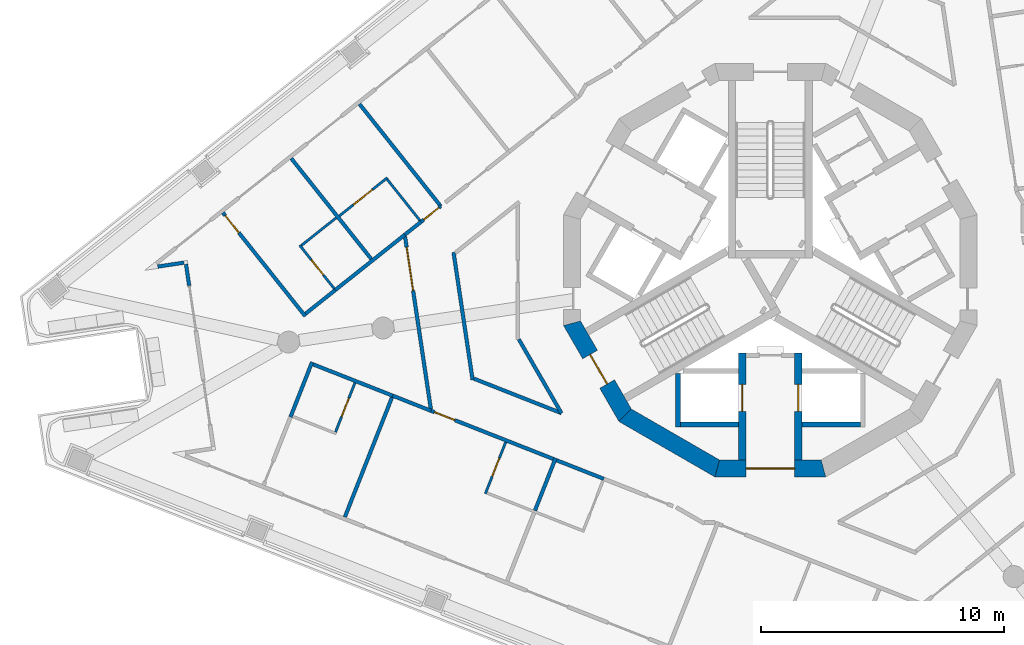
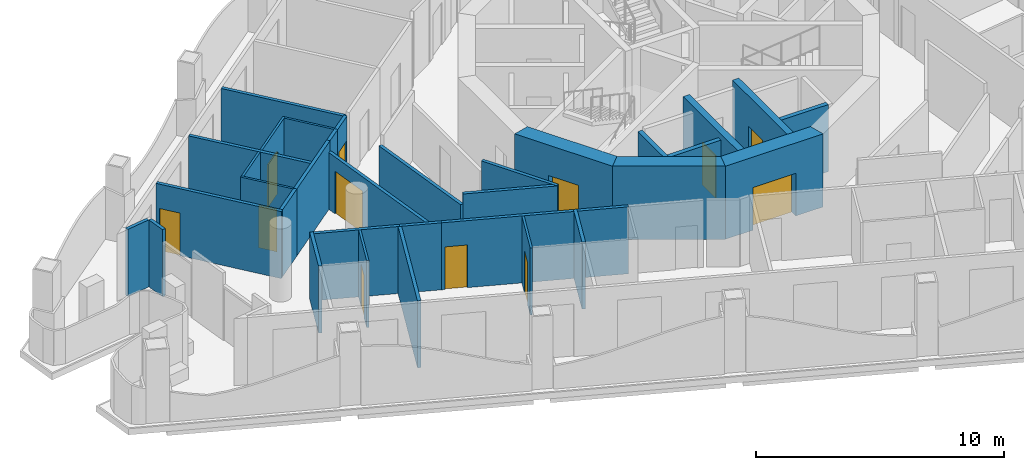
# One storey, part 3 of 16: 34 walls, 12 doors, 12 openings.
"""IFC4 building model written with IfcOpenShell, lengths in metres."""

from ifc_helpers import new_model, si_unit, direction, frame, frame_2d, origin, place, context, subcontext, project, spatial, polyline, rectangle, outline, extrude, material, layer, layer_set, type_object, element, fill, save


model = new_model("IFC4")

# Units and contexts
model_context = context("Model", 3, precision=1e-05, world=origin(), true_north=direction((0.0, 1.0)))
body_context = subcontext(model_context, "Body", "Model", "MODEL_VIEW")
ifc_project = project(units=[si_unit("LENGTHUNIT", "METRE"), si_unit("AREAUNIT", "SQUARE_METRE"), si_unit("VOLUMEUNIT", "CUBIC_METRE"), si_unit("PLANEANGLEUNIT", "RADIAN"), si_unit("MASSUNIT", "GRAM", prefix="KILO")], contexts=[model_context])

# Site, building, storey
site_placement = place(None, origin())
site = spatial("IfcSite", under=ifc_project, at=site_placement, CompositionType="ELEMENT")
building_placement = place(site_placement, origin())
building = spatial("IfcBuilding", under=site, at=building_placement, Name="Trine Commons Tower", CompositionType="ELEMENT")
storey_placement = place(building_placement, frame((0.0, 0.0, 205.199951171875)))
storey = spatial("IfcBuildingStorey", under=building, at=storey_placement, Name="L53", CompositionType="ELEMENT", Elevation=205.199951171875)

# Walls
ifc_material_1 = material(Name="Aluminium-framed insulated wall panel", Category="aluminium")
ifc_layer_1 = layer(ifc_material_1, 0.14990234375)
ifc_layer_set_1 = layer_set([ifc_layer_1], Name="Aluminium-framed insulated wall panel")
wall_type_1 = type_object("IfcWallType", Name="Glazed frame wall 150, EI 60", PredefinedType="SOLIDWALL", material=ifc_layer_set_1)
wall_1_placement = place(storey_placement, frame((56.115966796875, 61.86279296875, 0.0), z_axis=(0.0, 0.0, 1.0), x_axis=(-0.147946480694, 0.988995368468, 0.0)))
element("IfcWall", 1, at=wall_1_placement, inside=storey, type_object=wall_type_1, Name="Glazed frame wall P3.5", PredefinedType="SOLIDWALL", context=body_context, shape_type="SweptSolid", body=[
    extrude(outline(polyline([(0.889892578125, 0.074951171875), (0.0, 0.074951171875), (0.0, -0.074951171875), (0.889892578125, -0.074951171875), (0.889892578125, 0.074951171875)])), origin(), (0.0, 0.0, 1.0), 3.300048828125),
])
wall_2_placement = place(storey_placement, frame((56.0078125, 62.822265625, 0.0), z_axis=(0.0, 0.0, 1.0), x_axis=(-0.98902141065, -0.147772288596, 0.0)))
element("IfcWall", 2, at=wall_2_placement, inside=storey, type_object=wall_type_1, Name="Glazed frame wall R12", PredefinedType="SOLIDWALL", context=body_context, shape_type="SweptSolid", body=[
    extrude(outline(polyline([(0.110107421875, 0.074951171875), (0.110107421875, -0.074951171875), (1.19580078125, -0.074951171875), (1.19580078125, 0.074951171875), (0.110107421875, 0.074951171875)])), origin(), (0.0, 0.0, 1.0), 3.300048828125),
])

# Wall, opening, door
ifc_material_2 = material(Name="Concrete C60/75", Category="concrete")
ifc_layer_2 = layer(ifc_material_2, 0.300048828125)
ifc_layer_set_2 = layer_set([ifc_layer_2], Name="Concrete C60/75")
wall_type_2 = type_object("IfcWallType", Name="RC shear wall 300 mm, C60/75", PredefinedType="SHEAR", material=ifc_layer_set_2)
wall_3_placement = place(storey_placement, frame((78.85009765625, 59.10009765625, 0.0), z_axis=(0.0, 0.0, 1.0), x_axis=(0.0, -1.0, 0.0)))
wall_3 = element("IfcWall", 3, at=wall_3_placement, inside=storey, type_object=wall_type_2, Name="Core cross wall SWC-03 L53", PredefinedType="SHEAR", context=body_context, shape_type="SweptSolid", body=[
    extrude(rectangle(XDim=4.400146484375, YDim=0.300048828125, at=frame_2d((2.2001953125, 0.0))), origin(), (0.0, 0.0, 1.0), 3.60009765625),
])
opening_1_placement = place(wall_3_placement, frame((1.300048828125, 0.0, 0.0)))
opening_1 = element("IfcOpeningElement", 4, at=opening_1_placement, cuts=wall_3, Name="Opening LD10", PredefinedType="OPENING", context=body_context, shape_type="SweptSolid", body=[
    extrude(rectangle(XDim=1.10009765625, YDim=2.10009765625, at=frame_2d((0.550048828125, 1.050048828125))), frame((0.0, 0.159912109375, 0.0), z_axis=(0.0, -1.0, 0.0), x_axis=(1.0, 0.0, 0.0)), (0.0, 0.0, 1.0), 0.320068359375),
])
ifc_material_3 = material(Name="Stainless steel sliding door leaves", Category="steel")
door_type_1 = type_object("IfcDoorType", Name="Lift landing door, centre-opening sliding 1100 x 2100, FD90", OperationType="DOUBLE_DOOR_SLIDING", PredefinedType="DOOR", material=ifc_material_3)
door_1_placement = place(opening_1_placement, origin())
door_1 = element("IfcDoor", 5, at=door_1_placement, inside=storey, type_object=door_type_1, Name="Lift landing door FF2 L53", OperationType="DOUBLE_DOOR_SLIDING", OverallHeight=2.10009765625, OverallWidth=1.10009765625, PredefinedType="DOOR", context=body_context, shape_type="SweptSolid", body=[
    extrude(rectangle(XDim=1.10009765625, YDim=2.10009765625, at=frame_2d((0.550048828125, 1.050048828125))), frame((0.0, 0.02490234375, 0.0), z_axis=(0.0, -1.0, 0.0), x_axis=(1.0, 0.0, 0.0)), (0.0, 0.0, 1.0), 0.050048828125),
])
fill(opening_1, door_1)

wall_4_placement = place(storey_placement, frame((81.14990234375, 59.10009765625, 0.0), z_axis=(0.0, 0.0, 1.0), x_axis=(0.0, -1.0, 0.0)))
wall_4 = element("IfcWall", 6, at=wall_4_placement, inside=storey, type_object=wall_type_2, Name="Core cross wall SWC-04 L53", PredefinedType="SHEAR", context=body_context, shape_type="SweptSolid", body=[
    extrude(rectangle(XDim=4.400146484375, YDim=0.300048828125, at=frame_2d((2.2001953125, 0.0))), origin(), (0.0, 0.0, 1.0), 3.60009765625),
])
opening_2_placement = place(wall_4_placement, frame((1.300048828125, 0.0, 0.0)))
opening_2 = element("IfcOpeningElement", 7, at=opening_2_placement, cuts=wall_4, Name="Opening LD9", PredefinedType="OPENING", context=body_context, shape_type="SweptSolid", body=[
    extrude(rectangle(XDim=1.10009765625, YDim=2.10009765625, at=frame_2d((0.550048828125, 1.050048828125))), frame((0.0, 0.159912109375, 0.0), z_axis=(0.0, -1.0, 0.0), x_axis=(1.0, 0.0, 0.0)), (0.0, 0.0, 1.0), 0.320068359375),
])
door_2_placement = place(opening_2_placement, origin())
door_2 = element("IfcDoor", 8, at=door_2_placement, inside=storey, type_object=door_type_1, Name="Lift landing door FF1 L53", OperationType="DOUBLE_DOOR_SLIDING", OverallHeight=2.10009765625, OverallWidth=1.10009765625, PredefinedType="DOOR", context=body_context, shape_type="SweptSolid", body=[
    extrude(rectangle(XDim=1.10009765625, YDim=2.10009765625, at=frame_2d((0.550048828125, 1.050048828125))), frame((0.0, 0.02490234375, 0.0), z_axis=(0.0, -1.0, 0.0), x_axis=(1.0, 0.0, 0.0)), (0.0, 0.0, 1.0), 0.050048828125),
])
fill(opening_2, door_2)

ifc_layer_3 = layer(ifc_material_2, 0.699951171875)
ifc_layer_set_3 = layer_set([ifc_layer_3], Name="Concrete C60/75")
wall_type_3 = type_object("IfcWallType", Name="RC shear wall 700 mm, C60/75", PredefinedType="SHEAR", material=ifc_layer_set_3)
wall_5_placement = place(storey_placement, frame((71.802978515625, 60.3974609375, 0.0), z_axis=(0.0, 0.0, 1.0), x_axis=(0.499983800959, -0.866034756103, 0.0)))
wall_5 = element("IfcWall", 9, at=wall_5_placement, inside=storey, type_object=wall_type_3, Name="Core wall CWF-08 L53", PredefinedType="SHEAR", context=body_context, shape_type="SweptSolid", body=[
    extrude(outline(polyline([(0.0, -0.35009765625), (4.55517578125, -0.35009765625), (4.36767578125, 0.35009765625), (0.1875, 0.35009765625), (0.0, -0.35009765625)])), origin(), (0.0, 0.0, 1.0), 3.60009765625),
])
opening_3_placement = place(wall_5_placement, frame((1.577392578125, 0.0, 0.0)))
opening_3 = element("IfcOpeningElement", 10, at=opening_3_placement, cuts=wall_5, Name="Opening K15.02", PredefinedType="OPENING", context=body_context, shape_type="SweptSolid", body=[
    extrude(rectangle(XDim=1.39990234375, YDim=2.10009765625, at=frame_2d((0.699951171875, 1.050048828125))), frame((0.0, 0.35986328125, 0.0), z_axis=(0.0, -1.0, 0.0), x_axis=(1.0, 0.0, 0.0)), (0.0, 0.0, 1.0), 0.719970703125),
])
ifc_material_4 = material(Name="Steel door leaves, fire-rated", Category="steel")
door_type_2 = type_object("IfcDoorType", Name="Stair door, double leaf 1400 x 2100, FD90", OperationType="DOUBLE_DOOR_SINGLE_SWING", PredefinedType="DOOR", material=ifc_material_4)
door_3_placement = place(opening_3_placement, origin())
door_3 = element("IfcDoor", 11, at=door_3_placement, inside=storey, type_object=door_type_2, Name="Stair door to Exit stair ST2C L53", OperationType="DOUBLE_DOOR_SINGLE_SWING", OverallHeight=2.10009765625, OverallWidth=1.39990234375, PredefinedType="DOOR", context=body_context, shape_type="SweptSolid", body=[
    extrude(rectangle(XDim=1.39990234375, YDim=2.10009765625, at=frame_2d((0.699951171875, 1.050048828125))), frame((0.0, 0.02490234375, 0.0), z_axis=(0.0, -1.0, 0.0), x_axis=(1.0, 0.0, 0.0)), (0.0, 0.0, 1.0), 0.050048828125),
])
fill(opening_3, door_3)

# Wall
wall_6_placement = place(storey_placement, frame((73.952392578125, 56.58056640625, 0.0), z_axis=(0.0, 0.0, 1.0), x_axis=(0.866034756103, -0.499983800959, 0.0)))
element("IfcWall", 12, at=wall_6_placement, inside=storey, type_object=wall_type_3, Name="Core wall CWF-09 L53", PredefinedType="SHEAR", context=body_context, shape_type="SweptSolid", body=[
    extrude(outline(polyline([(0.0, -0.35009765625), (4.55517578125, -0.35009765625), (4.36767578125, 0.35009765625), (0.1875, 0.35009765625), (0.0, -0.35009765625)])), origin(), (0.0, 0.0, 1.0), 3.60009765625),
])

# Wall, opening, door
wall_7_placement = place(storey_placement, frame((77.722412109375, 54.349853515625, 0.0), z_axis=(0.0, 0.0, 1.0), x_axis=(1.0, 0.0, 0.0)))
wall_7 = element("IfcWall", 13, at=wall_7_placement, inside=storey, type_object=wall_type_3, Name="Core wall CWF-10 L53", PredefinedType="SHEAR", context=body_context, shape_type="SweptSolid", body=[
    extrude(outline(polyline([(0.0, -0.35009765625), (4.55517578125, -0.35009765625), (4.36767578125, 0.35009765625), (0.1875, 0.35009765625), (0.0, -0.35009765625)])), origin(), (0.0, 0.0, 1.0), 3.60009765625),
])
opening_4_placement = place(wall_7_placement, frame((1.277587890625, 0.0, 0.0)))
opening_4 = element("IfcOpeningElement", 14, at=opening_4_placement, cuts=wall_7, Name="Opening K15.08", PredefinedType="OPENING", context=body_context, shape_type="SweptSolid", body=[
    extrude(rectangle(XDim=2.0, YDim=2.10009765625, at=frame_2d((1.0, 1.050048828125))), frame((0.0, 0.35986328125, 0.0), z_axis=(0.0, -1.0, 0.0), x_axis=(1.0, 0.0, 0.0)), (0.0, 0.0, 1.0), 0.719970703125),
])
door_type_3 = type_object("IfcDoorType", Name="Lobby door, double leaf 2000 x 2100, FD60", OperationType="DOUBLE_DOOR_SINGLE_SWING", PredefinedType="DOOR", material=ifc_material_4)
door_4_placement = place(opening_4_placement, origin())
door_4 = element("IfcDoor", 15, at=door_4_placement, inside=storey, type_object=door_type_3, Name="Lobby door, Service and firefighting lobby L53", OperationType="DOUBLE_DOOR_SINGLE_SWING", OverallHeight=2.10009765625, OverallWidth=2.0, PredefinedType="DOOR", context=body_context, shape_type="SweptSolid", body=[
    extrude(rectangle(XDim=2.0, YDim=2.10009765625, at=frame_2d((1.0, 1.050048828125))), frame((0.0, 0.02490234375, 0.0), z_axis=(0.0, -1.0, 0.0), x_axis=(1.0, 0.0, 0.0)), (0.0, 0.0, 1.0), 0.050048828125),
])
fill(opening_4, door_4)

# Walls
ifc_material_5 = material(Name="Fire-rated gypsum shaft wall system")
ifc_layer_4 = layer(ifc_material_5, 0.199951171875)
ifc_layer_set_4 = layer_set([ifc_layer_4], Name="Fire-rated gypsum shaft wall system")
wall_type_4 = type_object("IfcWallType", Name="Shaft wall 200 mm, EI 120", PredefinedType="PARTITIONING", material=ifc_layer_set_4)
wall_8_placement = place(storey_placement, frame((76.199951171875, 58.257080078125, 0.0), z_axis=(0.0, 0.0, 1.0), x_axis=(0.0, -1.0, 0.0)))
element("IfcWall", 16, at=wall_8_placement, inside=storey, type_object=wall_type_4, Name="Shaft wall L53", PredefinedType="PARTITIONING", context=body_context, shape_type="SweptSolid", body=[
    extrude(rectangle(XDim=2.20703125, YDim=0.199951171875, at=frame_2d((1.103515625, 0.0))), origin(), (0.0, 0.0, 1.0), 3.300048828125),
])
for number, where, z_axis, x_axis, name in (
    (17, (78.699951171875, 56.14990234375, 0.0), (0.0, 0.0, 1.0), (-1.0, 0.0, 0.0), "Shaft wall L53"),
    (18, (81.300048828125, 56.14990234375, 0.0), (0.0, 0.0, 1.0), (1.0, 0.0, 0.0), "Shaft wall L53"),
):
    element("IfcWall", number, at=place(storey_placement, frame(where, z_axis=z_axis, x_axis=x_axis)), inside=storey, type_object=wall_type_4, Name=name, PredefinedType="PARTITIONING", context=body_context, shape_type="SweptSolid", body=[
        extrude(rectangle(XDim=2.39990234375, YDim=0.199951171875, at=frame_2d((1.199951171875, 0.0))), origin(), (0.0, 0.0, 1.0), 3.300048828125),
    ])

# Wall, opening, door
ifc_material_6 = material(Name="Gypsum plasterboard on steel stud", Category="steel")
ifc_layer_5 = layer(ifc_material_6, 0.14990234375)
ifc_layer_set_5 = layer_set([ifc_layer_5], Name="Gypsum plasterboard on steel stud")
wall_type_5 = type_object("IfcWallType", Name="Unit and corridor wall 150 mm, EI 60", PredefinedType="PARTITIONING", material=ifc_layer_set_5)
wall_9_placement = place(storey_placement, frame((57.50390625, 64.858642578125, 0.0), z_axis=(0.0, 0.0, 1.0), x_axis=(0.622567332104, -0.782566238089, 0.0)))
wall_9 = element("IfcWall", 19, at=wall_9_placement, inside=storey, type_object=wall_type_5, Name="Partition 001", PredefinedType="PARTITIONING", context=body_context, shape_type="SweptSolid", body=[
    extrude(rectangle(XDim=5.435302734375, YDim=0.14990234375, at=frame_2d((2.7177734375, 0.0))), origin(), (0.0, 0.0, 1.0), 3.300048828125),
])
opening_5_placement = place(wall_9_placement, frame((0.14990234375, 0.0, 0.0)))
opening_5 = element("IfcOpeningElement", 20, at=opening_5_placement, cuts=wall_9, Name="Opening D-6A05", PredefinedType="OPENING", context=body_context, shape_type="SweptSolid", body=[
    extrude(rectangle(XDim=0.89990234375, YDim=2.10009765625, at=frame_2d((0.449951171875, 1.050048828125))), frame((0.0, 0.0849609375, 0.0), z_axis=(0.0, -1.0, 0.0), x_axis=(1.0, 0.0, 0.0)), (0.0, 0.0, 1.0), 0.169921875),
])
ifc_material_7 = material(Name="Timber fire door set", Category="wood")
door_type_4 = type_object("IfcDoorType", Name="Bedroom door 900 x 2100, FD30S", OperationType="NOTDEFINED", PredefinedType="DOOR", material=ifc_material_7)
door_5_placement = place(opening_5_placement, origin())
door_5 = element("IfcDoor", 21, at=door_5_placement, inside=storey, type_object=door_type_4, Name="Door D-6A05", OperationType="SINGLE_SWING_LEFT", OverallHeight=2.10009765625, OverallWidth=0.89990234375, PredefinedType="DOOR", context=body_context, shape_type="SweptSolid", body=[
    extrude(rectangle(XDim=0.89990234375, YDim=2.10009765625, at=frame_2d((0.449951171875, 1.050048828125))), frame((0.0, 0.02490234375, 0.0), z_axis=(0.0, -1.0, 0.0), x_axis=(1.0, 0.0, 0.0)), (0.0, 0.0, 1.0), 0.050048828125),
])
fill(opening_5, door_5)

# Walls
wall_10_placement = place(storey_placement, frame((60.309814453125, 67.091796875, 0.0), z_axis=(0.0, 0.0, 1.0), x_axis=(0.622585933561, -0.782551439416, 0.0)))
element("IfcWall", 22, at=wall_10_placement, inside=storey, type_object=wall_type_5, Name="Partition 003", PredefinedType="PARTITIONING", context=body_context, shape_type="SweptSolid", body=[
    extrude(rectangle(XDim=5.28515625, YDim=0.14990234375, at=frame_2d((2.642578125, 0.0))), origin(), (0.0, 0.0, 1.0), 3.300048828125),
])
wall_11_placement = place(storey_placement, frame((60.27880859375, 56.46337890625, 0.0), z_axis=(0.0, 0.0, 1.0), x_axis=(0.366221321822, 0.930527776825, 0.0)))
element("IfcWall", 23, at=wall_11_placement, inside=storey, type_object=wall_type_5, Name="Partition 004", PredefinedType="PARTITIONING", context=body_context, shape_type="SweptSolid", body=[
    extrude(rectangle(XDim=2.42919921875, YDim=0.14990234375, at=frame_2d((1.214599609375, 0.0))), origin(), (0.0, 0.0, 1.0), 3.300048828125),
])
wall_12_placement = place(storey_placement, frame((60.899658203125, 60.710693359375, 0.0), z_axis=(0.0, 0.0, 1.0), x_axis=(0.782464556825, 0.622695123886, 0.0)))
element("IfcWall", 24, at=wall_12_placement, inside=storey, type_object=wall_type_5, Name="Partition 008", PredefinedType="PARTITIONING", context=body_context, shape_type="SweptSolid", body=[
    extrude(rectangle(XDim=1.564697265625, YDim=0.14990234375, at=frame_2d((0.7822265625, 0.0))), origin(), (0.0, 0.0, 1.0), 3.300048828125),
])
wall_13_placement = place(storey_placement, frame((61.210693359375, 58.62646484375, 0.0), z_axis=(0.0, 0.0, 1.0), x_axis=(0.930481659578, -0.36633847899, 0.0)))
element("IfcWall", 25, at=wall_13_placement, inside=storey, type_object=wall_type_5, Name="Partition 009", PredefinedType="PARTITIONING", context=body_context, shape_type="SweptSolid", body=[
    extrude(rectangle(XDim=3.511474609375, YDim=0.14990234375, at=frame_2d((1.755859375, 0.0))), origin(), (0.0, 0.0, 1.0), 3.300048828125),
])
wall_14_placement = place(storey_placement, frame((62.078857421875, 61.64990234375, 0.0), z_axis=(0.0, 0.0, 1.0), x_axis=(0.782654359685, 0.622456547291, 0.0)))
element("IfcWall", 26, at=wall_14_placement, inside=storey, type_object=wall_type_5, Name="Partition 011", PredefinedType="PARTITIONING", context=body_context, shape_type="SweptSolid", body=[
    extrude(rectangle(XDim=3.701904296875, YDim=0.14990234375, at=frame_2d((1.85107421875, 0.0))), origin(), (0.0, 0.0, 1.0), 3.300048828125),
])
wall_15_placement = place(storey_placement, frame((62.513671875, 52.352294921875, 0.0), z_axis=(0.0, 0.0, 1.0), x_axis=(0.366423948711, 0.930448004894, 0.0)))
element("IfcWall", 27, at=wall_15_placement, inside=storey, type_object=wall_type_5, Name="Partition 013", PredefinedType="PARTITIONING", context=body_context, shape_type="SweptSolid", body=[
    extrude(rectangle(XDim=5.28564453125, YDim=0.14990234375, at=frame_2d((2.642822265625, 0.0))), origin(), (0.0, 0.0, 1.0), 3.300048828125),
])
wall_16_placement = place(storey_placement, frame((63.116943359375, 69.32373046875, 0.0), z_axis=(0.0, 0.0, 1.0), x_axis=(0.622425914019, -0.7826787218, 0.0)))
element("IfcWall", 28, at=wall_16_placement, inside=storey, type_object=wall_type_5, Name="Partition 014", PredefinedType="PARTITIONING", context=body_context, shape_type="SweptSolid", body=[
    extrude(rectangle(XDim=5.359619140625, YDim=0.14990234375, at=frame_2d((2.6796875, 0.0))), origin(), (0.0, 0.0, 1.0), 3.300048828125),
])
wall_17_placement = place(storey_placement, frame((64.47802734375, 57.340087890625, 0.0), z_axis=(0.0, 0.0, 1.0), x_axis=(0.930289512217, -0.366826148822, 0.0)))
element("IfcWall", 29, at=wall_17_placement, inside=storey, type_object=wall_type_5, Name="Partition 016", PredefinedType="PARTITIONING", context=body_context, shape_type="SweptSolid", body=[
    extrude(rectangle(XDim=1.698486328125, YDim=0.14990234375, at=frame_2d((0.84912109375, 0.0))), origin(), (0.0, 0.0, 1.0), 3.300048828125),
])
wall_18_placement = place(storey_placement, frame((64.97607421875, 63.9541015625, 0.0), z_axis=(0.0, 0.0, 1.0), x_axis=(0.78256315963, 0.622571201703, 0.0)))
element("IfcWall", 30, at=wall_18_placement, inside=storey, type_object=wall_type_5, Name="Partition 017", PredefinedType="PARTITIONING", context=body_context, shape_type="SweptSolid", body=[
    extrude(rectangle(XDim=0.85595703125, YDim=0.14990234375, at=frame_2d((0.427978515625, 0.0))), origin(), (0.0, 0.0, 1.0), 3.300048828125),
])

# Wall, opening, door
wall_19_placement = place(storey_placement, frame((64.987060546875, 63.8798828125, 0.0), z_axis=(0.0, 0.0, 1.0), x_axis=(0.147865724858, -0.98900744558, 0.0)))
wall_19 = element("IfcWall", 31, at=wall_19_placement, inside=storey, type_object=wall_type_5, Name="Partition 018", PredefinedType="PARTITIONING", context=body_context, shape_type="SweptSolid", body=[
    extrude(rectangle(XDim=7.16748046875, YDim=0.14990234375, at=frame_2d((3.583740234375, 0.0))), origin(), (0.0, 0.0, 1.0), 2.800048828125),
])
opening_6_placement = place(wall_19_placement, frame((0.44677734375, 0.0, 0.0)))
opening_6 = element("IfcOpeningElement", 32, at=opening_6_placement, cuts=wall_19, Name="Opening D-6A03", PredefinedType="OPENING", context=body_context, shape_type="SweptSolid", body=[
    extrude(rectangle(XDim=1.800048828125, YDim=2.10009765625, at=frame_2d((0.89990234375, 1.050048828125))), frame((0.0, 0.0849609375, 0.0), z_axis=(0.0, -1.0, 0.0), x_axis=(1.0, 0.0, 0.0)), (0.0, 0.0, 1.0), 0.169921875),
])
door_type_5 = type_object("IfcDoorType", Name="Cluster entrance door 1800 x 2100, double leaf, FD30S", OperationType="DOUBLE_DOOR_DOUBLE_SWING", PredefinedType="DOOR", material=ifc_material_7)
door_6_placement = place(opening_6_placement, frame((1.800048828125, 0.0, 0.0), z_axis=(0.0, 0.0, 1.0), x_axis=(-1.0, 0.0, 0.0)))
door_6 = element("IfcDoor", 33, at=door_6_placement, inside=storey, type_object=door_type_5, Name="Door D-6A03", OperationType="DOUBLE_DOOR_DOUBLE_SWING", OverallHeight=2.10009765625, OverallWidth=1.800048828125, PredefinedType="DOOR", context=body_context, shape_type="SweptSolid", body=[
    extrude(rectangle(XDim=1.800048828125, YDim=2.10009765625, at=frame_2d((0.89990234375, 1.050048828125))), frame((0.0, 0.02490234375, 0.0), z_axis=(0.0, -1.0, 0.0), x_axis=(1.0, 0.0, 0.0)), (0.0, 0.0, 1.0), 0.050048828125),
])
fill(opening_6, door_6)

wall_20_placement = place(storey_placement, frame((65.600830078125, 64.450927734375, 0.0), z_axis=(0.0, 0.0, 1.0), x_axis=(0.782653002217, 0.622458254119, 0.0)))
wall_20 = element("IfcWall", 34, at=wall_20_placement, inside=storey, type_object=wall_type_5, Name="Partition 020", PredefinedType="PARTITIONING", context=body_context, shape_type="SweptSolid", body=[
    extrude(rectangle(XDim=1.0927734375, YDim=0.14990234375, at=frame_2d((0.54638671875, 0.0))), origin(), (0.0, 0.0, 1.0), 3.300048828125),
])
opening_7_placement = place(wall_20_placement, frame((0.198486328125, 0.0, 0.0)))
opening_7 = element("IfcOpeningElement", 35, at=opening_7_placement, cuts=wall_20, Name="Opening D-6A06", PredefinedType="OPENING", context=body_context, shape_type="SweptSolid", body=[
    extrude(rectangle(XDim=0.800048828125, YDim=2.10009765625, at=frame_2d((0.39990234375, 1.050048828125))), frame((0.0, 0.0849609375, 0.0), z_axis=(0.0, -1.0, 0.0), x_axis=(1.0, 0.0, 0.0)), (0.0, 0.0, 1.0), 0.169921875),
])
door_type_6 = type_object("IfcDoorType", Name="Bedroom door 800 x 2100, FD30S", OperationType="NOTDEFINED", PredefinedType="DOOR", material=ifc_material_7)
door_7_placement = place(opening_7_placement, origin())
door_7 = element("IfcDoor", 36, at=door_7_placement, inside=storey, type_object=door_type_6, Name="Door D-6A06", OperationType="SINGLE_SWING_RIGHT", OverallHeight=2.10009765625, OverallWidth=0.800048828125, PredefinedType="DOOR", context=body_context, shape_type="SweptSolid", body=[
    extrude(rectangle(XDim=0.800048828125, YDim=2.10009765625, at=frame_2d((0.39990234375, 1.050048828125))), frame((0.0, 0.02490234375, 0.0), z_axis=(0.0, -1.0, 0.0), x_axis=(1.0, 0.0, 0.0)), (0.0, 0.0, 1.0), 0.050048828125),
])
fill(opening_7, door_7)

wall_21_placement = place(storey_placement, frame((66.05810546875, 56.717041015625, 0.0), z_axis=(0.0, 0.0, 1.0), x_axis=(0.930458125329, -0.36639824919, 0.0)))
wall_21 = element("IfcWall", 37, at=wall_21_placement, inside=storey, type_object=wall_type_5, Name="Partition 022", PredefinedType="PARTITIONING", context=body_context, shape_type="SweptSolid", body=[
    extrude(rectangle(XDim=5.477783203125, YDim=0.14990234375, at=frame_2d((2.73876953125, 0.0))), origin(), (0.0, 0.0, 1.0), 3.300048828125),
])
opening_8_placement = place(wall_21_placement, frame((0.14990234375, 0.0, 0.0)))
opening_8 = element("IfcOpeningElement", 38, at=opening_8_placement, cuts=wall_21, Name="Opening D-6A24", PredefinedType="OPENING", context=body_context, shape_type="SweptSolid", body=[
    extrude(rectangle(XDim=0.89990234375, YDim=2.10009765625, at=frame_2d((0.449951171875, 1.050048828125))), frame((0.0, 0.0849609375, 0.0), z_axis=(0.0, -1.0, 0.0), x_axis=(1.0, 0.0, 0.0)), (0.0, 0.0, 1.0), 0.169921875),
])
door_8_placement = place(opening_8_placement, frame((0.89990234375, 0.0, 0.0), z_axis=(0.0, 0.0, 1.0), x_axis=(-1.0, 0.0, 0.0)))
door_8 = element("IfcDoor", 39, at=door_8_placement, inside=storey, type_object=door_type_4, Name="Door D-6A24", OperationType="SINGLE_SWING_RIGHT", OverallHeight=2.10009765625, OverallWidth=0.89990234375, PredefinedType="DOOR", context=body_context, shape_type="SweptSolid", body=[
    extrude(rectangle(XDim=0.89990234375, YDim=2.10009765625, at=frame_2d((0.449951171875, 1.050048828125))), frame((0.0, 0.02490234375, 0.0), z_axis=(0.0, -1.0, 0.0), x_axis=(1.0, 0.0, 0.0)), (0.0, 0.0, 1.0), 0.050048828125),
])
fill(opening_8, door_8)

# Walls
wall_22_placement = place(storey_placement, frame((66.97998046875, 63.234130859375, 0.0), z_axis=(0.0, 0.0, 1.0), x_axis=(0.14773017043, -0.989027702719, 0.0)))
element("IfcWall", 40, at=wall_22_placement, inside=storey, type_object=wall_type_5, Name="Partition 024", PredefinedType="PARTITIONING", context=body_context, shape_type="SweptSolid", body=[
    extrude(rectangle(XDim=5.301513671875, YDim=0.14990234375, at=frame_2d((2.65087890625, 0.0))), origin(), (0.0, 0.0, 1.0), 2.800048828125),
])
wall_23_placement = place(storey_placement, frame((67.82177734375, 58.03759765625, 0.0), z_axis=(0.0, 0.0, 1.0), x_axis=(0.930426693307, -0.366478059892, 0.0)))
element("IfcWall", 41, at=wall_23_placement, inside=storey, type_object=wall_type_5, Name="Partition 026", PredefinedType="PARTITIONING", context=body_context, shape_type="SweptSolid", body=[
    extrude(rectangle(XDim=3.85986328125, YDim=0.14990234375, at=frame_2d((1.929931640625, 0.0))), origin(), (0.0, 0.0, 1.0), 3.300048828125),
])
wall_24_placement = place(storey_placement, frame((69.66259765625, 59.655029296875, 0.0), z_axis=(0.0, 0.0, 1.0), x_axis=(0.50005009493, -0.865996479531, 0.0)))
element("IfcWall", 42, at=wall_24_placement, inside=storey, type_object=wall_type_5, Name="Partition 033", PredefinedType="PARTITIONING", context=body_context, shape_type="SweptSolid", body=[
    extrude(rectangle(XDim=3.504638671875, YDim=0.14990234375, at=frame_2d((1.75244140625, 0.0))), origin(), (0.0, 0.0, 1.0), 3.300048828125),
])
wall_25_placement = place(storey_placement, frame((70.326416015625, 52.617431640625, 0.0), z_axis=(0.0, 0.0, 1.0), x_axis=(0.366461165046, 0.9304333477, 0.0)))
element("IfcWall", 43, at=wall_25_placement, inside=storey, type_object=wall_type_5, Name="Partition 034", PredefinedType="PARTITIONING", context=body_context, shape_type="SweptSolid", body=[
    extrude(rectangle(XDim=2.3251953125, YDim=0.14990234375, at=frame_2d((1.16259765625, 0.0))), origin(), (0.0, 0.0, 1.0), 3.300048828125),
])
wall_26_placement = place(storey_placement, frame((71.216796875, 54.6845703125, 0.0), z_axis=(0.0, 0.0, 1.0), x_axis=(0.930587554928, -0.366069395899, 0.0)))
element("IfcWall", 44, at=wall_26_placement, inside=storey, type_object=wall_type_5, Name="Partition 035", PredefinedType="PARTITIONING", context=body_context, shape_type="SweptSolid", body=[
    extrude(rectangle(XDim=2.082763671875, YDim=0.14990234375, at=frame_2d((1.04150390625, 0.0))), origin(), (0.0, 0.0, 1.0), 3.300048828125),
])

# Wall, opening, door
ifc_layer_6 = layer(ifc_material_6, 0.10009765625)
ifc_layer_set_6 = layer_set([ifc_layer_6], Name="Gypsum plasterboard on steel stud")
wall_type_6 = type_object("IfcWallType", Name="Unit partition 100 mm, no rating", PredefinedType="PARTITIONING", material=ifc_layer_set_6)
wall_27_placement = place(storey_placement, frame((60.657958984375, 63.522216796875, 0.0), z_axis=(0.0, 0.0, 1.0), x_axis=(0.622507134747, -0.782614124067, 0.0)))
wall_27 = element("IfcWall", 45, at=wall_27_placement, inside=storey, type_object=wall_type_6, Name="Partition 006", PredefinedType="PARTITIONING", context=body_context, shape_type="SweptSolid", body=[
    extrude(rectangle(XDim=2.275146484375, YDim=0.10009765625, at=frame_2d((1.1376953125, 0.0))), origin(), (0.0, 0.0, 1.0), 3.300048828125),
])
opening_9_placement = place(wall_27_placement, frame((0.7626953125, 0.0, 0.0)))
opening_9 = element("IfcOpeningElement", 46, at=opening_9_placement, cuts=wall_27, Name="Opening D-6A29", PredefinedType="OPENING", context=body_context, shape_type="SweptSolid", body=[
    extrude(rectangle(XDim=0.800048828125, YDim=2.10009765625, at=frame_2d((0.39990234375, 1.050048828125))), frame((0.0, 0.06005859375, 0.0), z_axis=(0.0, -1.0, 0.0), x_axis=(1.0, 0.0, 0.0)), (0.0, 0.0, 1.0), 0.1201171875),
])
ifc_material_8 = material(Name="Painted timber", Category="wood")
door_type_7 = type_object("IfcDoorType", Name="Internal door 800 x 2100, NOT RATED", OperationType="NOTDEFINED", PredefinedType="DOOR", material=ifc_material_8)
door_9_placement = place(opening_9_placement, frame((0.800048828125, 0.0, 0.0), z_axis=(0.0, 0.0, 1.0), x_axis=(-1.0, 0.0, 0.0)))
door_9 = element("IfcDoor", 47, at=door_9_placement, inside=storey, type_object=door_type_7, Name="Door D-6A29", OperationType="SINGLE_SWING_LEFT", OverallHeight=2.10009765625, OverallWidth=0.800048828125, PredefinedType="DOOR", context=body_context, shape_type="SweptSolid", body=[
    extrude(rectangle(XDim=0.800048828125, YDim=2.10009765625, at=frame_2d((0.39990234375, 1.050048828125))), frame((0.0, 0.02490234375, 0.0), z_axis=(0.0, -1.0, 0.0), x_axis=(1.0, 0.0, 0.0)), (0.0, 0.0, 1.0), 0.050048828125),
])
fill(opening_9, door_9)

# Wall
wall_28_placement = place(storey_placement, frame((60.72802734375, 63.51416015625, 0.0), z_axis=(0.0, 0.0, 1.0), x_axis=(0.782562542096, 0.622571977934, 0.0)))
element("IfcWall", 48, at=wall_28_placement, inside=storey, type_object=wall_type_6, Name="Partition 007", PredefinedType="PARTITIONING", context=body_context, shape_type="SweptSolid", body=[
    extrude(rectangle(XDim=1.824951171875, YDim=0.10009765625, at=frame_2d((0.91259765625, 0.0))), origin(), (0.0, 0.0, 1.0), 3.300048828125),
])

# Wall, opening, door
wall_29_placement = place(storey_placement, frame((62.13134765625, 55.845458984375, 0.0), z_axis=(0.0, 0.0, 1.0), x_axis=(0.366100402841, 0.930575356991, 0.0)))
wall_29 = element("IfcWall", 49, at=wall_29_placement, inside=storey, type_object=wall_type_6, Name="Partition 010", PredefinedType="PARTITIONING", context=body_context, shape_type="SweptSolid", body=[
    extrude(rectangle(XDim=2.174560546875, YDim=0.10009765625, at=frame_2d((1.08740234375, 0.0))), origin(), (0.0, 0.0, 1.0), 3.300048828125),
])
opening_10_placement = place(wall_29_placement, frame((0.6875, 0.0, 0.0)))
opening_10 = element("IfcOpeningElement", 50, at=opening_10_placement, cuts=wall_29, Name="Opening D-6A45", PredefinedType="OPENING", context=body_context, shape_type="SweptSolid", body=[
    extrude(rectangle(XDim=0.800048828125, YDim=2.10009765625, at=frame_2d((0.39990234375, 1.050048828125))), frame((0.0, 0.06005859375, 0.0), z_axis=(0.0, -1.0, 0.0), x_axis=(1.0, 0.0, 0.0)), (0.0, 0.0, 1.0), 0.1201171875),
])
door_10_placement = place(opening_10_placement, frame((0.800048828125, 0.0, 0.0), z_axis=(0.0, 0.0, 1.0), x_axis=(-1.0, 0.0, 0.0)))
door_10 = element("IfcDoor", 51, at=door_10_placement, inside=storey, type_object=door_type_7, Name="Door D-6A45", OperationType="SINGLE_SWING_LEFT", OverallHeight=2.10009765625, OverallWidth=0.800048828125, PredefinedType="DOOR", context=body_context, shape_type="SweptSolid", body=[
    extrude(rectangle(XDim=0.800048828125, YDim=2.10009765625, at=frame_2d((0.39990234375, 1.050048828125))), frame((0.0, 0.02490234375, 0.0), z_axis=(0.0, -1.0, 0.0), x_axis=(1.0, 0.0, 0.0)), (0.0, 0.0, 1.0), 0.050048828125),
])
fill(opening_10, door_10)

wall_30_placement = place(storey_placement, frame((62.28662109375, 64.727783203125, 0.0), z_axis=(0.0, 0.0, 1.0), x_axis=(0.782639605126, 0.622475098689, 0.0)))
wall_30 = element("IfcWall", 52, at=wall_30_placement, inside=storey, type_object=wall_type_6, Name="Partition 012", PredefinedType="PARTITIONING", context=body_context, shape_type="SweptSolid", body=[
    extrude(rectangle(XDim=2.524169921875, YDim=0.10009765625, at=frame_2d((1.26220703125, 0.0))), origin(), (0.0, 0.0, 1.0), 3.300048828125),
])
opening_11_placement = place(wall_30_placement, frame((0.737060546875, 0.0, 0.0)))
opening_11 = element("IfcOpeningElement", 53, at=opening_11_placement, cuts=wall_30, Name="Opening D-6A30", PredefinedType="OPENING", context=body_context, shape_type="SweptSolid", body=[
    extrude(rectangle(XDim=1.0, YDim=2.10009765625, at=frame_2d((0.5, 1.050048828125))), frame((0.0, 0.06005859375, 0.0), z_axis=(0.0, -1.0, 0.0), x_axis=(1.0, 0.0, 0.0)), (0.0, 0.0, 1.0), 0.1201171875),
])
door_type_8 = type_object("IfcDoorType", Name="Internal door 1000 x 2100, NOT RATED", OperationType="NOTDEFINED", PredefinedType="DOOR", material=ifc_material_8)
door_11_placement = place(opening_11_placement, origin())
door_11 = element("IfcDoor", 54, at=door_11_placement, inside=storey, type_object=door_type_8, Name="Door D-6A30", OperationType="SINGLE_SWING_LEFT", OverallHeight=2.10009765625, OverallWidth=1.0, PredefinedType="DOOR", context=body_context, shape_type="SweptSolid", body=[
    extrude(rectangle(XDim=1.0, YDim=2.10009765625, at=frame_2d((0.5, 1.050048828125))), frame((0.0, 0.02490234375, 0.0), z_axis=(0.0, -1.0, 0.0), x_axis=(1.0, 0.0, 0.0)), (0.0, 0.0, 1.0), 0.050048828125),
])
fill(opening_11, door_11)

# Wall
wall_31_placement = place(storey_placement, frame((64.254150390625, 66.22900390625, 0.0), z_axis=(0.0, 0.0, 1.0), x_axis=(0.622717500652, -0.782446748591, 0.0)))
element("IfcWall", 55, at=wall_31_placement, inside=storey, type_object=wall_type_6, Name="Partition 015", PredefinedType="PARTITIONING", context=body_context, shape_type="SweptSolid", body=[
    extrude(rectangle(XDim=2.155029296875, YDim=0.10009765625, at=frame_2d((1.07763671875, 0.0))), origin(), (0.0, 0.0, 1.0), 3.300048828125),
])

# Wall, opening, door
wall_32_placement = place(storey_placement, frame((68.288818359375, 53.3125, 0.0), z_axis=(0.0, 0.0, 1.0), x_axis=(0.366482291334, 0.930425026608, 0.0)))
wall_32 = element("IfcWall", 56, at=wall_32_placement, inside=storey, type_object=wall_type_6, Name="Partition 027", PredefinedType="PARTITIONING", context=body_context, shape_type="SweptSolid", body=[
    extrude(rectangle(XDim=2.27490234375, YDim=0.10009765625, at=frame_2d((1.137451171875, 0.0))), origin(), (0.0, 0.0, 1.0), 3.300048828125),
])
opening_12_placement = place(wall_32_placement, frame((0.762451171875, 0.0, 0.0)))
opening_12 = element("IfcOpeningElement", 57, at=opening_12_placement, cuts=wall_32, Name="Opening D-6A44", PredefinedType="OPENING", context=body_context, shape_type="SweptSolid", body=[
    extrude(rectangle(XDim=0.800048828125, YDim=2.10009765625, at=frame_2d((0.39990234375, 1.050048828125))), frame((0.0, 0.06005859375, 0.0), z_axis=(0.0, -1.0, 0.0), x_axis=(1.0, 0.0, 0.0)), (0.0, 0.0, 1.0), 0.1201171875),
])
door_12_placement = place(opening_12_placement, origin())
door_12 = element("IfcDoor", 58, at=door_12_placement, inside=storey, type_object=door_type_7, Name="Door D-6A44", OperationType="SINGLE_SWING_RIGHT", OverallHeight=2.10009765625, OverallWidth=0.800048828125, PredefinedType="DOOR", context=body_context, shape_type="SweptSolid", body=[
    extrude(rectangle(XDim=0.800048828125, YDim=2.10009765625, at=frame_2d((0.39990234375, 1.050048828125))), frame((0.0, 0.02490234375, 0.0), z_axis=(0.0, -1.0, 0.0), x_axis=(1.0, 0.0, 0.0)), (0.0, 0.0, 1.0), 0.050048828125),
])
fill(opening_12, door_12)

save(model, "model.ifc")
